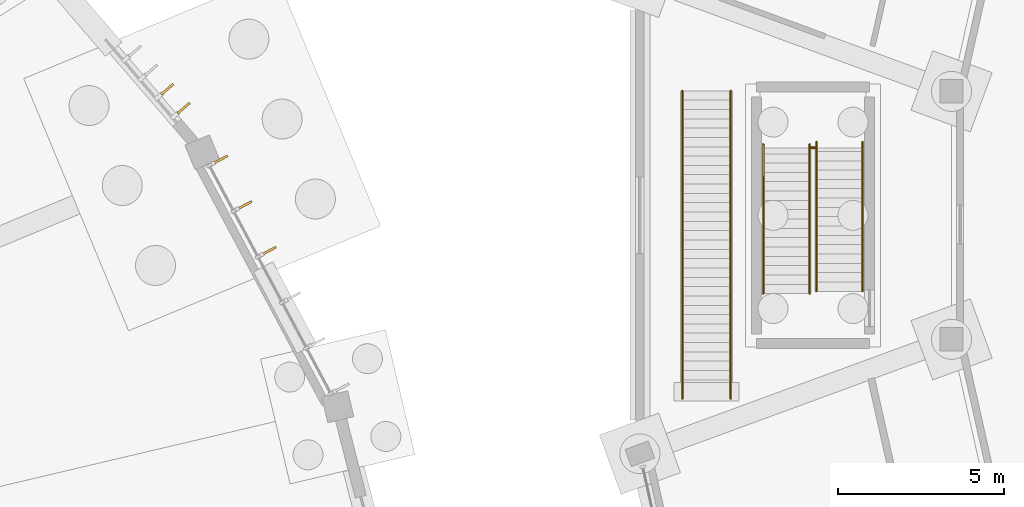
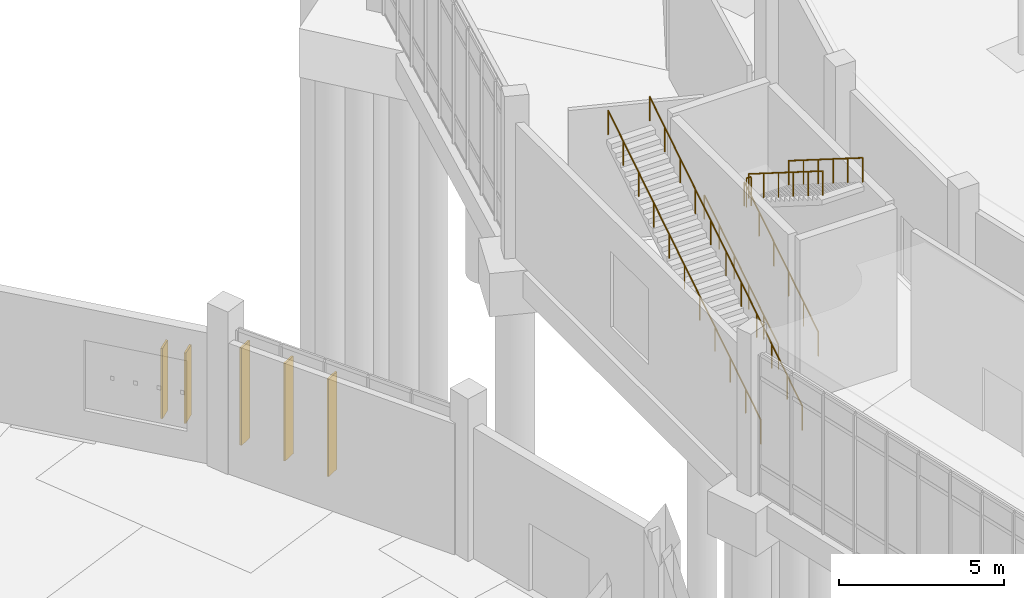
# One storey, part 124 of 140: 7 railings, 5 shading devices.
"""IFC4 building model written with IfcOpenShell, lengths in metres."""

from ifc_helpers import new_model, si_unit, direction, frame, origin, origin_2d, place, context, subcontext, project, spatial, rectangle, circle, extrude, material, layer, layer_set, type_object, element, save


model = new_model("IFC4")

# Units and contexts
model_context = context("Model", 3, precision=1e-05, world=origin(), true_north=direction((0.0, 1.0)))
body_context = subcontext(model_context, "Body", "Model", "MODEL_VIEW")
ifc_project = project(units=[si_unit("LENGTHUNIT", "METRE"), si_unit("AREAUNIT", "SQUARE_METRE"), si_unit("VOLUMEUNIT", "CUBIC_METRE"), si_unit("PLANEANGLEUNIT", "RADIAN"), si_unit("MASSUNIT", "GRAM", prefix="KILO")], contexts=[model_context])

# Site, building, storey
site_placement = place(None, origin())
site = spatial("IfcSite", under=ifc_project, at=site_placement, CompositionType="ELEMENT")
building_placement = place(site_placement, origin())
building = spatial("IfcBuilding", under=site, at=building_placement, Name="Corvandel Quay Wholesale Market", CompositionType="ELEMENT")
storey_placement = place(building_placement, origin())
storey = spatial("IfcBuildingStorey", under=building, at=storey_placement, Name="L00", CompositionType="ELEMENT", Elevation=0.0)

# Railings
ifc_material_1 = material(Name="Painted galvanised tubular steel", Category="steel")
ifc_layer_1 = layer(ifc_material_1, 0.054931640625)
ifc_layer_set_1 = layer_set([ifc_layer_1], Name="Painted galvanised tubular steel")
railing_type_1 = type_object("IfcRailingType", Name="Stairwell Inner Guard Railing GR02 1100mm", PredefinedType="GUARDRAIL", material=ifc_layer_set_1)
railing_placement = place(storey_placement, frame((180.1201171875, 62.030029296875, 3.0)))
element("IfcRailing", 1, at=railing_placement, inside=storey, type_object=railing_type_1, Name="Stair Landing Well Guard 0095", PredefinedType="GUARDRAIL", context=body_context, shape_type="SweptSolid", body=[
    extrude(circle(Radius=0.02392578125, at=origin_2d()), frame((0.0, 0.0, 1.076171875), z_axis=(1.0, 0.0, 0.0), x_axis=(0.0, 1.0, 0.0)), (0.0, 0.0, 1.0), 0.159912109375),
    extrude(circle(Radius=0.02099609375, at=origin_2d()), origin(), (0.0, 0.0, 1.0), 1.052001953125),
    extrude(circle(Radius=0.02099609375, at=origin_2d()), frame((0.159912109375, 0.0, 0.0)), (0.0, 0.0, 1.0), 1.052001953125),
])
ifc_material_2 = material(Name="Brushed austenitic stainless steel Grade 316", Category="steel")
ifc_layer_2 = layer(ifc_material_2, 0.048095703125)
ifc_layer_set_2 = layer_set([ifc_layer_2], Name="Brushed austenitic stainless steel Grade 316")
railing_type_2 = type_object("IfcRailingType", Name="Tubular Stainless Stair Handrail HR01 915mm", PredefinedType="HANDRAIL", material=ifc_layer_set_2)
for number, where, name in (
    (2, (178.7099609375, 57.64990234375, 0.176513671875), "Stair Handrail 0091"),
    (3, (180.10009765625, 57.64990234375, 0.176513671875), "Stair Handrail 0092"),
):
    element("IfcRailing", number, at=place(storey_placement, frame(where)), inside=storey, type_object=railing_type_2, Name=name, PredefinedType="HANDRAIL", context=body_context, shape_type="SweptSolid", body=[
        extrude(circle(Radius=0.02392578125, at=origin_2d()), frame((0.0, 0.0, 0.89111328125), z_axis=(0.0, 0.845997938375, 0.533186166611), x_axis=(-1.0, 0.0, 0.0)), (0.0, 0.0, 1.0), 5.29541015625),
        extrude(circle(Radius=0.02099609375, at=origin_2d()), origin(), (0.0, 0.0, 1.0), 0.866943359375),
        extrude(circle(Radius=0.02099609375, at=origin_2d()), frame((0.0, 0.89599609375, 0.564697265625)), (0.0, 0.0, 1.0), 0.866943359375),
        extrude(circle(Radius=0.02099609375, at=origin_2d()), frame((0.0, 1.7919921875, 1.12939453125)), (0.0, 0.0, 1.0), 0.866943359375),
        extrude(circle(Radius=0.02099609375, at=origin_2d()), frame((0.0, 2.68798828125, 1.694091796875)), (0.0, 0.0, 1.0), 0.866943359375),
        extrude(circle(Radius=0.02099609375, at=origin_2d()), frame((0.0, 3.583984375, 2.2587890625)), (0.0, 0.0, 1.0), 0.866943359375),
        extrude(circle(Radius=0.02099609375, at=origin_2d()), frame((0.0, 4.47998046875, 2.823486328125)), (0.0, 0.0, 1.0), 0.866943359375),
    ])
for number, where, name in (
    (4, (180.300048828125, 62.199951171875, 3.176513671875), "Stair Handrail 0093"),
    (5, (181.68994140625, 62.199951171875, 3.176513671875), "Stair Handrail 0094"),
):
    element("IfcRailing", number, at=place(storey_placement, frame(where)), inside=storey, type_object=railing_type_2, Name=name, PredefinedType="HANDRAIL", context=body_context, shape_type="SweptSolid", body=[
        extrude(circle(Radius=0.02392578125, at=origin_2d()), frame((0.0, 0.0, 0.89111328125), z_axis=(0.0, -0.845997938375, 0.533186166611), x_axis=(1.0, 0.0, 0.0)), (0.0, 0.0, 1.0), 5.29541015625),
        extrude(circle(Radius=0.02099609375, at=origin_2d()), origin(), (0.0, 0.0, 1.0), 0.866943359375),
        extrude(circle(Radius=0.02099609375, at=origin_2d()), frame((0.0, -0.89599609375, 0.564697265625)), (0.0, 0.0, 1.0), 0.866943359375),
        extrude(circle(Radius=0.02099609375, at=origin_2d()), frame((0.0, -1.7919921875, 1.12939453125)), (0.0, 0.0, 1.0), 0.866943359375),
        extrude(circle(Radius=0.02099609375, at=origin_2d()), frame((0.0, -2.68798828125, 1.694091796875)), (0.0, 0.0, 1.0), 0.866943359375),
        extrude(circle(Radius=0.02099609375, at=origin_2d()), frame((0.0, -3.583984375, 2.2587890625)), (0.0, 0.0, 1.0), 0.866943359375),
        extrude(circle(Radius=0.02099609375, at=origin_2d()), frame((0.0, -4.47998046875, 2.823486328125)), (0.0, 0.0, 1.0), 0.866943359375),
    ])
for number, where, name in (
    (6, (176.27490234375, 54.5, 0.176513671875), "Feature Stair Handrail 0231"),
    (7, (177.72509765625, 54.5, 0.176513671875), "Feature Stair Handrail 0232"),
):
    element("IfcRailing", number, at=place(storey_placement, frame(where)), inside=storey, type_object=railing_type_2, Name=name, PredefinedType="HANDRAIL", context=body_context, shape_type="SweptSolid", body=[
        extrude(circle(Radius=0.02392578125, at=origin_2d()), frame((0.0, 0.0, 0.89111328125), z_axis=(0.0, 0.845996842167, 0.533187905943), x_axis=(-1.0, 0.0, 0.0)), (0.0, 0.0, 1.0), 10.922119140625),
        extrude(circle(Radius=0.02099609375, at=origin_2d()), origin(), (0.0, 0.0, 1.0), 0.866943359375),
        extrude(circle(Radius=0.02099609375, at=origin_2d()), frame((0.0, 0.924072265625, 0.582275390625)), (0.0, 0.0, 1.0), 0.866943359375),
        extrude(circle(Radius=0.02099609375, at=origin_2d()), frame((0.0, 1.847900390625, 1.164794921875)), (0.0, 0.0, 1.0), 0.866943359375),
        extrude(circle(Radius=0.02099609375, at=origin_2d()), frame((0.0, 2.77197265625, 1.7470703125)), (0.0, 0.0, 1.0), 0.866943359375),
        extrude(circle(Radius=0.02099609375, at=origin_2d()), frame((0.0, 3.696044921875, 2.329345703125)), (0.0, 0.0, 1.0), 0.866943359375),
        extrude(circle(Radius=0.02099609375, at=origin_2d()), frame((0.0, 4.6201171875, 2.91162109375)), (0.0, 0.0, 1.0), 0.866943359375),
        extrude(circle(Radius=0.02099609375, at=origin_2d()), frame((0.0, 5.5439453125, 3.494140625)), (0.0, 0.0, 1.0), 0.866943359375),
        extrude(circle(Radius=0.02099609375, at=origin_2d()), frame((0.0, 6.468017578125, 4.076416015625)), (0.0, 0.0, 1.0), 0.866943359375),
        extrude(circle(Radius=0.02099609375, at=origin_2d()), frame((0.0, 7.39208984375, 4.65869140625)), (0.0, 0.0, 1.0), 0.866943359375),
        extrude(circle(Radius=0.02099609375, at=origin_2d()), frame((0.0, 8.31591796875, 5.2412109375)), (0.0, 0.0, 1.0), 0.866943359375),
        extrude(circle(Radius=0.02099609375, at=origin_2d()), frame((0.0, 9.239990234375, 5.823486328125)), (0.0, 0.0, 1.0), 0.866943359375),
    ])

# Shading devices
ifc_material_3 = material(Name="Bronze anodised extruded aluminium 6063-T6", Category="aluminium")
shading_device_type = type_object("IfcShadingDeviceType", Name="Vertical Anodised Bronze Solar Fin FN01 480mm", PredefinedType="JALOUSIE", material=ifc_material_3)
for number, where, z_axis, x_axis, name in (
    (8, (163.860107421875, 58.93603515625, 0.77490234375), (0.0, 0.0, 1.0), (0.882619624736, 0.470087862033, 0.0), "Solar Fin 0004"),
    (9, (163.130615234375, 60.3056640625, 0.77490234375), (0.0, 0.0, 1.0), (0.882619624736, 0.470087862033, 0.0), "Solar Fin 0005"),
    (10, (162.40087890625, 61.67529296875, 0.77490234375), (0.0, 0.0, 1.0), (0.882619624736, 0.470087862033, 0.0), "Solar Fin 0006"),
):
    element("IfcShadingDevice", number, at=place(storey_placement, frame(where, z_axis=z_axis, x_axis=x_axis)), inside=storey, type_object=shading_device_type, Name=name, PredefinedType="JALOUSIE", context=body_context, shape_type="SweptSolid", body=[
        extrude(rectangle(XDim=0.47998046875, YDim=0.06494140625, at=origin_2d()), origin(), (0.0, 0.0, 1.0), 3.60009765625),
    ])
for number, where, z_axis, x_axis, name in (
    (11, (161.295166015625, 63.219970703125, 1.050048828125), (0.0, 0.0, 1.0), (0.758589401976, 0.651568967347, 0.0), "Solar Fin 0015"),
    (12, (160.806396484375, 63.788818359375, 1.050048828125), (0.0, 0.0, 1.0), (0.758589401976, 0.651568967347, 0.0), "Solar Fin 0016"),
):
    element("IfcShadingDevice", number, at=place(storey_placement, frame(where, z_axis=z_axis, x_axis=x_axis)), inside=storey, type_object=shading_device_type, Name=name, PredefinedType="JALOUSIE", context=body_context, shape_type="SweptSolid", body=[
        extrude(rectangle(XDim=0.47998046875, YDim=0.06494140625, at=origin_2d()), origin(), (0.0, 0.0, 1.0), 2.60009765625),
    ])

save(model, "model.ifc")
